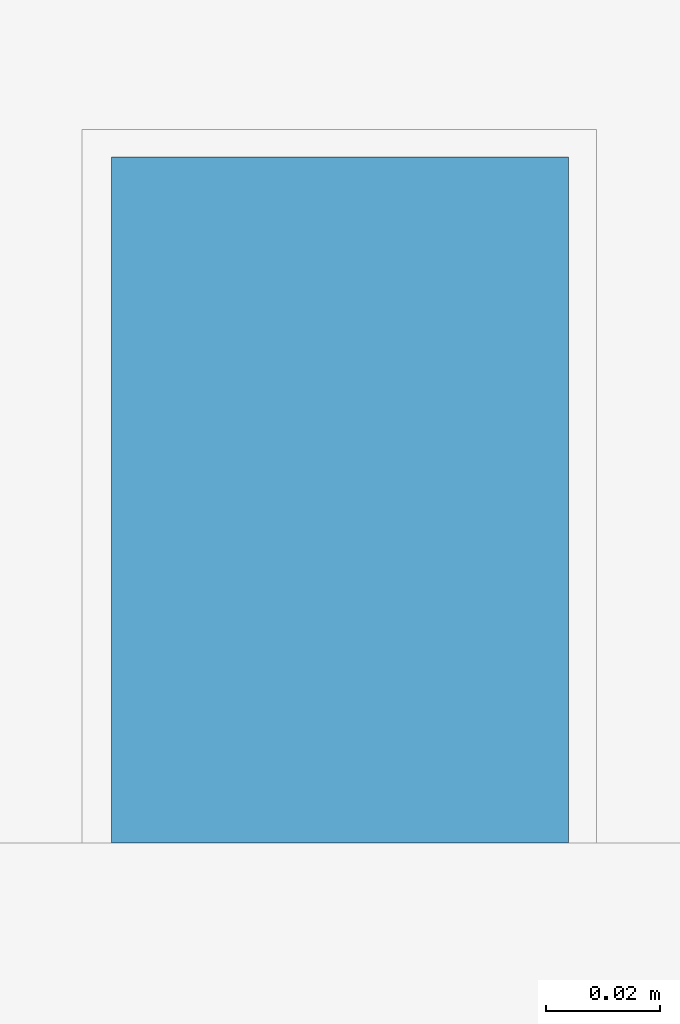
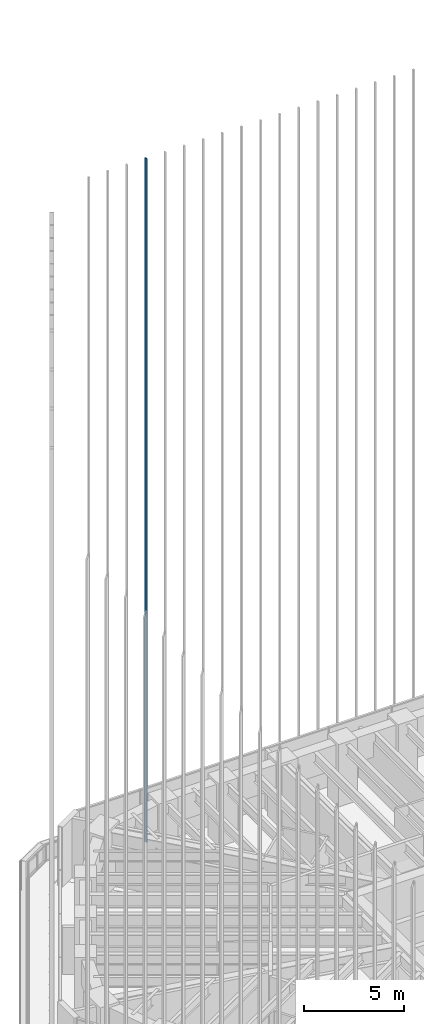
# One storey, part 69 of 127: 1 member, 1 element without a shape of its own.
"""IFC4 building model written with IfcOpenShell, lengths in metres."""

from ifc_helpers import new_model, si_unit, direction, frame, origin, origin_2d, place, context, subcontext, project, spatial, rectangle, extrude, material, material_profile, profile_set, type_object, element, aggregate, save


model = new_model("IFC4")

# Units and contexts
model_context = context("Model", 3, precision=1e-05, world=origin(), true_north=direction((0.0, 1.0)))
body_context = subcontext(model_context, "Body", "Model", "MODEL_VIEW")
ifc_project = project(units=[si_unit("LENGTHUNIT", "METRE"), si_unit("AREAUNIT", "SQUARE_METRE"), si_unit("VOLUMEUNIT", "CUBIC_METRE"), si_unit("PLANEANGLEUNIT", "RADIAN"), si_unit("MASSUNIT", "GRAM", prefix="KILO")], contexts=[model_context])

# Site, building, storey
site_placement = place(None, origin())
site = spatial("IfcSite", under=ifc_project, at=site_placement, CompositionType="ELEMENT")
building_placement = place(site_placement, origin())
building = spatial("IfcBuilding", under=site, at=building_placement, Name="Sandreach Pilgrim Tower", CompositionType="ELEMENT")
storey_placement = place(building_placement, frame((0.0, 0.0, 257.0)))
storey = spatial("IfcBuildingStorey", under=building, at=storey_placement, Name="L64", CompositionType="ELEMENT", Elevation=257.0)

# Curtain wall, member
ifc_material_1 = material(Name="Aluminium framed curtain wall", Category="aluminium")
curtain_wall_type = type_object("IfcCurtainWallType", Name="Suite tower curtain wall", PredefinedType="NOTDEFINED", material=ifc_material_1)
curtain_wall_placement = place(storey_placement, origin())
curtain_wall = element("IfcCurtainWall", 1, at=curtain_wall_placement, inside=storey, type_object=curtain_wall_type, Name="CW-4 L64 N", PredefinedType="NOTDEFINED")
ifc_material_2 = material(Name="Extruded terracotta on aluminium core", Category="masonry")
ifc_material_profile = material_profile(ifc_material_2, rectangle(XDim=0.080078125, YDim=0.1201171875, at=origin_2d()), Name="TBN 80X120")
ifc_profile_set = profile_set([ifc_material_profile], Name="Extruded terracotta on aluminium core")
member_type = type_object("IfcMemberType", Name="Terracotta baguette north", PredefinedType="USERDEFINED", material=ifc_profile_set)
member_placement = place(storey_placement, frame((-12.1044921875, 20.1865234375, 0.0), z_axis=(0.0, 0.0, 1.0), x_axis=(1.0, 0.0, 0.0)))
member = element("IfcMember", 2, at=member_placement, type_object=member_type, Name="Baguette Z4 N04", ObjectType="BAGUETTE", PredefinedType="USERDEFINED", context=body_context, shape_type="SweptSolid", body=[
    extrude(rectangle(XDim=0.080078125, YDim=0.1201171875, at=origin_2d()), origin(), (0.0, 0.0, 1.0), 41.639892578125),
])
aggregate(curtain_wall, [member])

save(model, "model.ifc")
